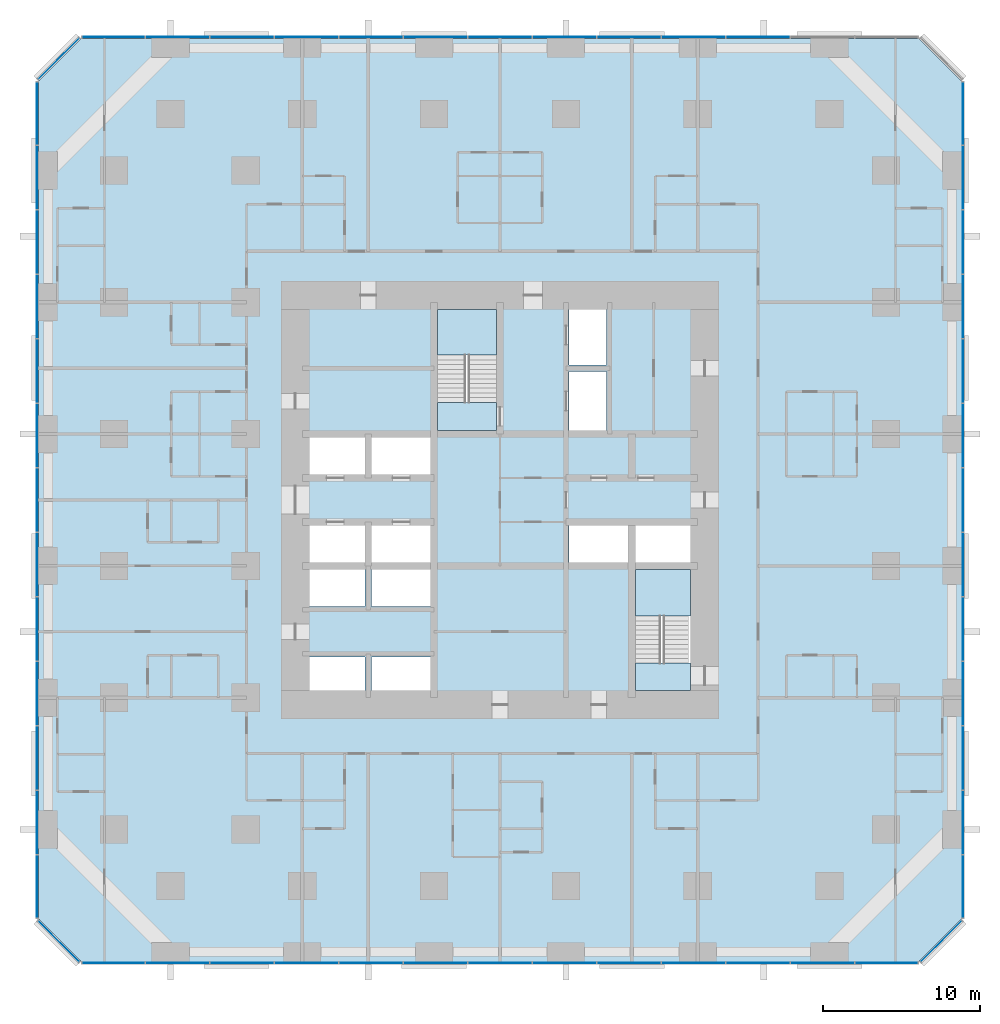
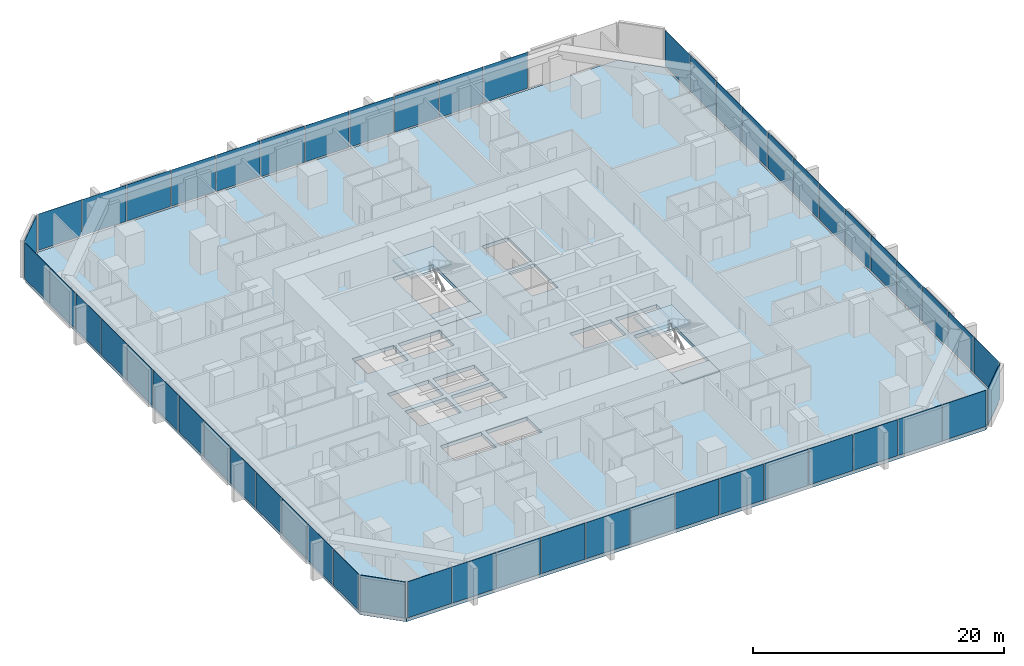
# One storey, part 9 of 17: 53 plates, 5 slabs, 9 elements without a shape of their own.
"""IFC4 building model written with IfcOpenShell, lengths in metres."""

from ifc_helpers import new_model, si_unit, direction, frame, origin, origin_2d, place, context, subcontext, project, spatial, polyline, rectangle, outline, extrude, material, layer, layer_set, type_object, element, aggregate, save


model = new_model("IFC4")

# Units and contexts
model_context = context("Model", 3, precision=1e-05, world=origin(), true_north=direction((0.0, 1.0)))
body_context = subcontext(model_context, "Body", "Model", "MODEL_VIEW")
ifc_project = project(units=[si_unit("LENGTHUNIT", "METRE"), si_unit("AREAUNIT", "SQUARE_METRE"), si_unit("VOLUMEUNIT", "CUBIC_METRE"), si_unit("PLANEANGLEUNIT", "RADIAN"), si_unit("MASSUNIT", "GRAM", prefix="KILO")], contexts=[model_context])

# Site, building, storey
site_placement = place(None, origin())
site = spatial("IfcSite", under=ifc_project, at=site_placement, CompositionType="ELEMENT")
building_placement = place(site_placement, origin())
building = spatial("IfcBuilding", under=site, at=building_placement, Name="Dunama Terrace Hotel", CompositionType="ELEMENT")
storey_placement = place(building_placement, frame((0.0, 0.0, 34.199951171875)))
storey = spatial("IfcBuildingStorey", under=building, at=storey_placement, Name="L07", CompositionType="ELEMENT", Elevation=34.199951171875)

# Curtain wall, plates
ifc_material_1 = material(Name="Aluminium curtain wall system", Category="aluminium")
curtain_wall_type = type_object("IfcCurtainWallType", Name="Unitised fritted glass wall CW-A", PredefinedType="NOTDEFINED", material=ifc_material_1)
curtain_wall_1_placement = place(storey_placement, origin())
curtain_wall_1 = element("IfcCurtainWall", 1, at=curtain_wall_1_placement, inside=storey, type_object=curtain_wall_type, Name="Unitised fritted glass wall CW-A L07", PredefinedType="NOTDEFINED")
ifc_material_2 = material(Name="Laminated glass", Category="glass")
ifc_layer_1 = layer(ifc_material_2, 0.030029296875)
ifc_layer_set_1 = layer_set([ifc_layer_1], Name="CWA clear glass panel")
plate_type_1 = type_object("IfcPlateType", Name="CWA clear glass panel", PredefinedType="CURTAIN_PANEL", material=ifc_layer_set_1)
plate_1_placement = place(storey_placement, frame((4.77001953125, -0.10009765625, 0.0751953125), z_axis=(0.0, 0.0, 1.0), x_axis=(1.0, 0.0, 0.0)))
plate_1 = element("IfcPlate", 2, at=plate_1_placement, type_object=plate_type_1, Name="CWA clear glass panel", PredefinedType="CURTAIN_PANEL", context=body_context, shape_type="SweptSolid", body=[
    extrude(rectangle(XDim=4.01025390625, YDim=0.030029296875, at=origin_2d()), origin(), (0.0, 0.0, 1.0), 3.52490234375),
])
plate_2_placement = place(storey_placement, frame((17.076904296875, -0.10009765625, 0.0751953125), z_axis=(0.0, 0.0, 1.0), x_axis=(1.0, 0.0, 0.0)))
plate_2 = element("IfcPlate", 3, at=plate_2_placement, type_object=plate_type_1, Name="CWA clear glass panel", PredefinedType="CURTAIN_PANEL", context=body_context, shape_type="SweptSolid", body=[
    extrude(rectangle(XDim=4.042724609375, YDim=0.030029296875, at=origin_2d()), origin(), (0.0, 0.0, 1.0), 3.52490234375),
])
plate_3_placement = place(storey_placement, frame((29.39990234375, -0.10009765625, 0.0751953125), z_axis=(0.0, 0.0, 1.0), x_axis=(1.0, 0.0, 0.0)))
plate_3 = element("IfcPlate", 4, at=plate_3_placement, type_object=plate_type_1, Name="CWA clear glass panel", PredefinedType="CURTAIN_PANEL", context=body_context, shape_type="SweptSolid", body=[
    extrude(rectangle(XDim=4.042724609375, YDim=0.030029296875, at=origin_2d()), origin(), (0.0, 0.0, 1.0), 3.52490234375),
])
plate_4_placement = place(storey_placement, frame((41.722900390625, -0.10009765625, 0.0751953125), z_axis=(0.0, 0.0, 1.0), x_axis=(1.0, 0.0, 0.0)))
plate_4 = element("IfcPlate", 5, at=plate_4_placement, type_object=plate_type_1, Name="CWA clear glass panel", PredefinedType="CURTAIN_PANEL", context=body_context, shape_type="SweptSolid", body=[
    extrude(rectangle(XDim=4.042724609375, YDim=0.030029296875, at=origin_2d()), origin(), (0.0, 0.0, 1.0), 3.52490234375),
])
plate_5_placement = place(storey_placement, frame((54.030029296875, -0.10009765625, 0.0751953125), z_axis=(0.0, 0.0, 1.0), x_axis=(1.0, 0.0, 0.0)))
plate_5 = element("IfcPlate", 6, at=plate_5_placement, type_object=plate_type_1, Name="CWA clear glass panel", PredefinedType="CURTAIN_PANEL", context=body_context, shape_type="SweptSolid", body=[
    extrude(rectangle(XDim=4.01025390625, YDim=0.030029296875, at=origin_2d()), origin(), (0.0, 0.0, 1.0), 3.52490234375),
])

curtain_wall_2_placement = place(storey_placement, origin())
curtain_wall_2 = element("IfcCurtainWall", 7, at=curtain_wall_2_placement, inside=storey, type_object=curtain_wall_type, Name="Unitised fritted glass wall CW-A L07", PredefinedType="NOTDEFINED")
plate_6_placement = place(storey_placement, frame((58.89990234375, 8.862060546875, 0.0751953125), z_axis=(0.0, 0.0, 1.0), x_axis=(0.0, 1.0, 0.0)))
plate_6 = element("IfcPlate", 8, at=plate_6_placement, type_object=plate_type_1, Name="CWA clear glass panel", PredefinedType="CURTAIN_PANEL", context=body_context, shape_type="SweptSolid", body=[
    extrude(rectangle(XDim=4.042724609375, YDim=0.030029296875, at=origin_2d()), origin(), (0.0, 0.0, 1.0), 3.52490234375),
])
plate_7_placement = place(storey_placement, frame((58.89990234375, 21.18505859375, 0.0751953125), z_axis=(0.0, 0.0, 1.0), x_axis=(0.0, 1.0, 0.0)))
plate_7 = element("IfcPlate", 9, at=plate_7_placement, type_object=plate_type_1, Name="CWA clear glass panel", PredefinedType="CURTAIN_PANEL", context=body_context, shape_type="SweptSolid", body=[
    extrude(rectangle(XDim=4.042724609375, YDim=0.030029296875, at=origin_2d()), origin(), (0.0, 0.0, 1.0), 3.52490234375),
])
plate_8_placement = place(storey_placement, frame((58.89990234375, 33.508056640625, 0.0751953125), z_axis=(0.0, 0.0, 1.0), x_axis=(0.0, 1.0, 0.0)))
plate_8 = element("IfcPlate", 10, at=plate_8_placement, type_object=plate_type_1, Name="CWA clear glass panel", PredefinedType="CURTAIN_PANEL", context=body_context, shape_type="SweptSolid", body=[
    extrude(rectangle(XDim=4.042724609375, YDim=0.030029296875, at=origin_2d()), origin(), (0.0, 0.0, 1.0), 3.52490234375),
])
plate_9_placement = place(storey_placement, frame((58.89990234375, 45.8310546875, 0.0751953125), z_axis=(0.0, 0.0, 1.0), x_axis=(0.0, 1.0, 0.0)))
plate_9 = element("IfcPlate", 11, at=plate_9_placement, type_object=plate_type_1, Name="CWA clear glass panel", PredefinedType="CURTAIN_PANEL", context=body_context, shape_type="SweptSolid", body=[
    extrude(rectangle(XDim=4.042724609375, YDim=0.030029296875, at=origin_2d()), origin(), (0.0, 0.0, 1.0), 3.52490234375),
])

curtain_wall_3_placement = place(storey_placement, origin())
curtain_wall_3 = element("IfcCurtainWall", 12, at=curtain_wall_3_placement, inside=storey, type_object=curtain_wall_type, Name="Unitised fritted glass wall CW-A L07", PredefinedType="NOTDEFINED")
plate_10_placement = place(storey_placement, frame((45.8310546875, 58.89990234375, 0.0751953125), z_axis=(0.0, 0.0, 1.0), x_axis=(-1.0, 0.0, 0.0)))
plate_10 = element("IfcPlate", 13, at=plate_10_placement, type_object=plate_type_1, Name="CWA clear glass panel", PredefinedType="CURTAIN_PANEL", context=body_context, shape_type="SweptSolid", body=[
    extrude(rectangle(XDim=4.042724609375, YDim=0.030029296875, at=origin_2d()), origin(), (0.0, 0.0, 1.0), 3.52490234375),
])
plate_11_placement = place(storey_placement, frame((33.508056640625, 58.89990234375, 0.0751953125), z_axis=(0.0, 0.0, 1.0), x_axis=(-1.0, 0.0, 0.0)))
plate_11 = element("IfcPlate", 14, at=plate_11_placement, type_object=plate_type_1, Name="CWA clear glass panel", PredefinedType="CURTAIN_PANEL", context=body_context, shape_type="SweptSolid", body=[
    extrude(rectangle(XDim=4.042724609375, YDim=0.030029296875, at=origin_2d()), origin(), (0.0, 0.0, 1.0), 3.52490234375),
])
plate_12_placement = place(storey_placement, frame((21.18505859375, 58.89990234375, 0.0751953125), z_axis=(0.0, 0.0, 1.0), x_axis=(-1.0, 0.0, 0.0)))
plate_12 = element("IfcPlate", 15, at=plate_12_placement, type_object=plate_type_1, Name="CWA clear glass panel", PredefinedType="CURTAIN_PANEL", context=body_context, shape_type="SweptSolid", body=[
    extrude(rectangle(XDim=4.042724609375, YDim=0.030029296875, at=origin_2d()), origin(), (0.0, 0.0, 1.0), 3.52490234375),
])
plate_13_placement = place(storey_placement, frame((8.862060546875, 58.89990234375, 0.0751953125), z_axis=(0.0, 0.0, 1.0), x_axis=(-1.0, 0.0, 0.0)))
plate_13 = element("IfcPlate", 16, at=plate_13_placement, type_object=plate_type_1, Name="CWA clear glass panel", PredefinedType="CURTAIN_PANEL", context=body_context, shape_type="SweptSolid", body=[
    extrude(rectangle(XDim=4.042724609375, YDim=0.030029296875, at=origin_2d()), origin(), (0.0, 0.0, 1.0), 3.52490234375),
])

curtain_wall_4_placement = place(storey_placement, origin())
curtain_wall_4 = element("IfcCurtainWall", 17, at=curtain_wall_4_placement, inside=storey, type_object=curtain_wall_type, Name="Unitised fritted glass wall CW-A L07", PredefinedType="NOTDEFINED")
plate_14_placement = place(storey_placement, frame((-0.10009765625, 54.030029296875, 0.0751953125), z_axis=(0.0, 0.0, 1.0), x_axis=(0.0, -1.0, 0.0)))
plate_14 = element("IfcPlate", 18, at=plate_14_placement, type_object=plate_type_1, Name="CWA clear glass panel", PredefinedType="CURTAIN_PANEL", context=body_context, shape_type="SweptSolid", body=[
    extrude(rectangle(XDim=4.01025390625, YDim=0.030029296875, at=origin_2d()), origin(), (0.0, 0.0, 1.0), 3.52490234375),
])
plate_15_placement = place(storey_placement, frame((-0.10009765625, 41.722900390625, 0.0751953125), z_axis=(0.0, 0.0, 1.0), x_axis=(0.0, -1.0, 0.0)))
plate_15 = element("IfcPlate", 19, at=plate_15_placement, type_object=plate_type_1, Name="CWA clear glass panel", PredefinedType="CURTAIN_PANEL", context=body_context, shape_type="SweptSolid", body=[
    extrude(rectangle(XDim=4.042724609375, YDim=0.030029296875, at=origin_2d()), origin(), (0.0, 0.0, 1.0), 3.52490234375),
])
plate_16_placement = place(storey_placement, frame((-0.10009765625, 29.39990234375, 0.0751953125), z_axis=(0.0, 0.0, 1.0), x_axis=(0.0, -1.0, 0.0)))
plate_16 = element("IfcPlate", 20, at=plate_16_placement, type_object=plate_type_1, Name="CWA clear glass panel", PredefinedType="CURTAIN_PANEL", context=body_context, shape_type="SweptSolid", body=[
    extrude(rectangle(XDim=4.042724609375, YDim=0.030029296875, at=origin_2d()), origin(), (0.0, 0.0, 1.0), 3.52490234375),
])
plate_17_placement = place(storey_placement, frame((-0.10009765625, 17.076904296875, 0.0751953125), z_axis=(0.0, 0.0, 1.0), x_axis=(0.0, -1.0, 0.0)))
plate_17 = element("IfcPlate", 21, at=plate_17_placement, type_object=plate_type_1, Name="CWA clear glass panel", PredefinedType="CURTAIN_PANEL", context=body_context, shape_type="SweptSolid", body=[
    extrude(rectangle(XDim=4.042724609375, YDim=0.030029296875, at=origin_2d()), origin(), (0.0, 0.0, 1.0), 3.52490234375),
])
plate_18_placement = place(storey_placement, frame((-0.10009765625, 4.77001953125, 0.0751953125), z_axis=(0.0, 0.0, 1.0), x_axis=(0.0, -1.0, 0.0)))
plate_18 = element("IfcPlate", 22, at=plate_18_placement, type_object=plate_type_1, Name="CWA clear glass panel", PredefinedType="CURTAIN_PANEL", context=body_context, shape_type="SweptSolid", body=[
    extrude(rectangle(XDim=4.01025390625, YDim=0.030029296875, at=origin_2d()), origin(), (0.0, 0.0, 1.0), 3.52490234375),
])

# Plate
ifc_material_3 = material(Name="Fritted laminated glass", Category="glass")
ifc_layer_2 = layer(ifc_material_3, 0.030029296875)
ifc_layer_set_2 = layer_set([ifc_layer_2], Name="CWA fritted glass panel")
plate_type_2 = type_object("IfcPlateType", Name="CWA fritted glass panel", PredefinedType="CURTAIN_PANEL", material=ifc_layer_set_2)
plate_19_placement = place(storey_placement, frame((12.968994140625, -0.10009765625, 0.0751953125), z_axis=(0.0, 0.0, 1.0), x_axis=(1.0, 0.0, 0.0)))
plate_19 = element("IfcPlate", 23, at=plate_19_placement, type_object=plate_type_2, Name="CWA fritted glass panel", PredefinedType="CURTAIN_PANEL", context=body_context, shape_type="SweptSolid", body=[
    extrude(rectangle(XDim=4.042724609375, YDim=0.030029296875, at=origin_2d()), origin(), (0.0, 0.0, 1.0), 3.52490234375),
])

plate_20_placement = place(storey_placement, frame((25.2919921875, -0.10009765625, 0.0751953125), z_axis=(0.0, 0.0, 1.0), x_axis=(1.0, 0.0, 0.0)))
plate_20 = element("IfcPlate", 24, at=plate_20_placement, type_object=plate_type_2, Name="CWA fritted glass panel", PredefinedType="CURTAIN_PANEL", context=body_context, shape_type="SweptSolid", body=[
    extrude(rectangle(XDim=4.042724609375, YDim=0.030029296875, at=origin_2d()), origin(), (0.0, 0.0, 1.0), 3.52490234375),
])

plate_21_placement = place(storey_placement, frame((37.614990234375, -0.10009765625, 0.0751953125), z_axis=(0.0, 0.0, 1.0), x_axis=(1.0, 0.0, 0.0)))
plate_21 = element("IfcPlate", 25, at=plate_21_placement, type_object=plate_type_2, Name="CWA fritted glass panel", PredefinedType="CURTAIN_PANEL", context=body_context, shape_type="SweptSolid", body=[
    extrude(rectangle(XDim=4.042724609375, YDim=0.030029296875, at=origin_2d()), origin(), (0.0, 0.0, 1.0), 3.52490234375),
])

plate_22_placement = place(storey_placement, frame((49.93798828125, -0.10009765625, 0.0751953125), z_axis=(0.0, 0.0, 1.0), x_axis=(1.0, 0.0, 0.0)))
plate_22 = element("IfcPlate", 26, at=plate_22_placement, type_object=plate_type_2, Name="CWA fritted glass panel", PredefinedType="CURTAIN_PANEL", context=body_context, shape_type="SweptSolid", body=[
    extrude(rectangle(XDim=4.042724609375, YDim=0.030029296875, at=origin_2d()), origin(), (0.0, 0.0, 1.0), 3.52490234375),
])

plate_23_placement = place(storey_placement, frame((58.89990234375, 4.77001953125, 0.0751953125), z_axis=(0.0, 0.0, 1.0), x_axis=(0.0, 1.0, 0.0)))
plate_23 = element("IfcPlate", 27, at=plate_23_placement, type_object=plate_type_2, Name="CWA fritted glass panel", PredefinedType="CURTAIN_PANEL", context=body_context, shape_type="SweptSolid", body=[
    extrude(rectangle(XDim=4.01025390625, YDim=0.030029296875, at=origin_2d()), origin(), (0.0, 0.0, 1.0), 3.52490234375),
])

plate_24_placement = place(storey_placement, frame((58.89990234375, 17.076904296875, 0.0751953125), z_axis=(0.0, 0.0, 1.0), x_axis=(0.0, 1.0, 0.0)))
plate_24 = element("IfcPlate", 28, at=plate_24_placement, type_object=plate_type_2, Name="CWA fritted glass panel", PredefinedType="CURTAIN_PANEL", context=body_context, shape_type="SweptSolid", body=[
    extrude(rectangle(XDim=4.042724609375, YDim=0.030029296875, at=origin_2d()), origin(), (0.0, 0.0, 1.0), 3.52490234375),
])

plate_25_placement = place(storey_placement, frame((58.89990234375, 29.39990234375, 0.0751953125), z_axis=(0.0, 0.0, 1.0), x_axis=(0.0, 1.0, 0.0)))
plate_25 = element("IfcPlate", 29, at=plate_25_placement, type_object=plate_type_2, Name="CWA fritted glass panel", PredefinedType="CURTAIN_PANEL", context=body_context, shape_type="SweptSolid", body=[
    extrude(rectangle(XDim=4.042724609375, YDim=0.030029296875, at=origin_2d()), origin(), (0.0, 0.0, 1.0), 3.52490234375),
])

plate_26_placement = place(storey_placement, frame((58.89990234375, 41.722900390625, 0.0751953125), z_axis=(0.0, 0.0, 1.0), x_axis=(0.0, 1.0, 0.0)))
plate_26 = element("IfcPlate", 30, at=plate_26_placement, type_object=plate_type_2, Name="CWA fritted glass panel", PredefinedType="CURTAIN_PANEL", context=body_context, shape_type="SweptSolid", body=[
    extrude(rectangle(XDim=4.042724609375, YDim=0.030029296875, at=origin_2d()), origin(), (0.0, 0.0, 1.0), 3.52490234375),
])

plate_27_placement = place(storey_placement, frame((58.89990234375, 54.030029296875, 0.0751953125), z_axis=(0.0, 0.0, 1.0), x_axis=(0.0, 1.0, 0.0)))
plate_27 = element("IfcPlate", 31, at=plate_27_placement, type_object=plate_type_2, Name="CWA fritted glass panel", PredefinedType="CURTAIN_PANEL", context=body_context, shape_type="SweptSolid", body=[
    extrude(rectangle(XDim=4.01025390625, YDim=0.030029296875, at=origin_2d()), origin(), (0.0, 0.0, 1.0), 3.52490234375),
])

plate_28_placement = place(storey_placement, frame((37.614990234375, 58.89990234375, 0.0751953125), z_axis=(0.0, 0.0, 1.0), x_axis=(-1.0, 0.0, 0.0)))
plate_28 = element("IfcPlate", 32, at=plate_28_placement, type_object=plate_type_2, Name="CWA fritted glass panel", PredefinedType="CURTAIN_PANEL", context=body_context, shape_type="SweptSolid", body=[
    extrude(rectangle(XDim=4.042724609375, YDim=0.030029296875, at=origin_2d()), origin(), (0.0, 0.0, 1.0), 3.52490234375),
])

plate_29_placement = place(storey_placement, frame((25.2919921875, 58.89990234375, 0.0751953125), z_axis=(0.0, 0.0, 1.0), x_axis=(-1.0, 0.0, 0.0)))
plate_29 = element("IfcPlate", 33, at=plate_29_placement, type_object=plate_type_2, Name="CWA fritted glass panel", PredefinedType="CURTAIN_PANEL", context=body_context, shape_type="SweptSolid", body=[
    extrude(rectangle(XDim=4.042724609375, YDim=0.030029296875, at=origin_2d()), origin(), (0.0, 0.0, 1.0), 3.52490234375),
])

plate_30_placement = place(storey_placement, frame((12.968994140625, 58.89990234375, 0.0751953125), z_axis=(0.0, 0.0, 1.0), x_axis=(-1.0, 0.0, 0.0)))
plate_30 = element("IfcPlate", 34, at=plate_30_placement, type_object=plate_type_2, Name="CWA fritted glass panel", PredefinedType="CURTAIN_PANEL", context=body_context, shape_type="SweptSolid", body=[
    extrude(rectangle(XDim=4.042724609375, YDim=0.030029296875, at=origin_2d()), origin(), (0.0, 0.0, 1.0), 3.52490234375),
])

# Curtain wall, plate
curtain_wall_5_placement = place(storey_placement, origin())
curtain_wall_5 = element("IfcCurtainWall", 35, at=curtain_wall_5_placement, inside=storey, type_object=curtain_wall_type, Name="Unitised fritted glass wall CW-A L07", PredefinedType="NOTDEFINED")
plate_31_placement = place(storey_placement, frame((1.279052734375, 57.52099609375, 0.0751953125), z_axis=(0.0, 0.0, 1.0), x_axis=(-0.707106781187, -0.707106781187, 0.0)))
plate_31 = element("IfcPlate", 36, at=plate_31_placement, type_object=plate_type_2, Name="CWA fritted glass panel", PredefinedType="CURTAIN_PANEL", context=body_context, shape_type="SweptSolid", body=[
    extrude(rectangle(XDim=3.6884765625, YDim=0.030029296875, at=origin_2d()), origin(), (0.0, 0.0, 1.0), 3.52490234375),
])
aggregate(curtain_wall_5, [plate_31])

# Plate
plate_32_placement = place(storey_placement, frame((-0.10009765625, 45.8310546875, 0.0751953125), z_axis=(0.0, 0.0, 1.0), x_axis=(0.0, -1.0, 0.0)))
plate_32 = element("IfcPlate", 37, at=plate_32_placement, type_object=plate_type_2, Name="CWA fritted glass panel", PredefinedType="CURTAIN_PANEL", context=body_context, shape_type="SweptSolid", body=[
    extrude(rectangle(XDim=4.042724609375, YDim=0.030029296875, at=origin_2d()), origin(), (0.0, 0.0, 1.0), 3.52490234375),
])

plate_33_placement = place(storey_placement, frame((-0.10009765625, 33.508056640625, 0.0751953125), z_axis=(0.0, 0.0, 1.0), x_axis=(0.0, -1.0, 0.0)))
plate_33 = element("IfcPlate", 38, at=plate_33_placement, type_object=plate_type_2, Name="CWA fritted glass panel", PredefinedType="CURTAIN_PANEL", context=body_context, shape_type="SweptSolid", body=[
    extrude(rectangle(XDim=4.042724609375, YDim=0.030029296875, at=origin_2d()), origin(), (0.0, 0.0, 1.0), 3.52490234375),
])

plate_34_placement = place(storey_placement, frame((-0.10009765625, 21.18505859375, 0.0751953125), z_axis=(0.0, 0.0, 1.0), x_axis=(0.0, -1.0, 0.0)))
plate_34 = element("IfcPlate", 39, at=plate_34_placement, type_object=plate_type_2, Name="CWA fritted glass panel", PredefinedType="CURTAIN_PANEL", context=body_context, shape_type="SweptSolid", body=[
    extrude(rectangle(XDim=4.042724609375, YDim=0.030029296875, at=origin_2d()), origin(), (0.0, 0.0, 1.0), 3.52490234375),
])

plate_35_placement = place(storey_placement, frame((-0.10009765625, 8.862060546875, 0.0751953125), z_axis=(0.0, 0.0, 1.0), x_axis=(0.0, -1.0, 0.0)))
plate_35 = element("IfcPlate", 40, at=plate_35_placement, type_object=plate_type_2, Name="CWA fritted glass panel", PredefinedType="CURTAIN_PANEL", context=body_context, shape_type="SweptSolid", body=[
    extrude(rectangle(XDim=4.042724609375, YDim=0.030029296875, at=origin_2d()), origin(), (0.0, 0.0, 1.0), 3.52490234375),
])

ifc_material_4 = material(Name="Laminated glass", Category="glass")
ifc_layer_3 = layer(ifc_material_4, 0.030029296875)
ifc_layer_set_3 = layer_set([ifc_layer_3], Name="CWA operable glass panel")
plate_type_3 = type_object("IfcPlateType", Name="CWA operable glass panel", PredefinedType="CURTAIN_PANEL", material=ifc_layer_set_3)
plate_36_placement = place(storey_placement, frame((8.862060546875, -0.10009765625, 0.0751953125), z_axis=(0.0, 0.0, 1.0), x_axis=(1.0, 0.0, 0.0)))
plate_36 = element("IfcPlate", 41, at=plate_36_placement, type_object=plate_type_3, Name="CWA operable glass panel", PredefinedType="CURTAIN_PANEL", context=body_context, shape_type="SweptSolid", body=[
    extrude(rectangle(XDim=4.042724609375, YDim=0.030029296875, at=origin_2d()), origin(), (0.0, 0.0, 1.0), 3.52490234375),
])

plate_37_placement = place(storey_placement, frame((21.18505859375, -0.10009765625, 0.0751953125), z_axis=(0.0, 0.0, 1.0), x_axis=(1.0, 0.0, 0.0)))
plate_37 = element("IfcPlate", 42, at=plate_37_placement, type_object=plate_type_3, Name="CWA operable glass panel", PredefinedType="CURTAIN_PANEL", context=body_context, shape_type="SweptSolid", body=[
    extrude(rectangle(XDim=4.042724609375, YDim=0.030029296875, at=origin_2d()), origin(), (0.0, 0.0, 1.0), 3.52490234375),
])

plate_38_placement = place(storey_placement, frame((33.508056640625, -0.10009765625, 0.0751953125), z_axis=(0.0, 0.0, 1.0), x_axis=(1.0, 0.0, 0.0)))
plate_38 = element("IfcPlate", 43, at=plate_38_placement, type_object=plate_type_3, Name="CWA operable glass panel", PredefinedType="CURTAIN_PANEL", context=body_context, shape_type="SweptSolid", body=[
    extrude(rectangle(XDim=4.042724609375, YDim=0.030029296875, at=origin_2d()), origin(), (0.0, 0.0, 1.0), 3.52490234375),
])

plate_39_placement = place(storey_placement, frame((45.8310546875, -0.10009765625, 0.0751953125), z_axis=(0.0, 0.0, 1.0), x_axis=(1.0, 0.0, 0.0)))
plate_39 = element("IfcPlate", 44, at=plate_39_placement, type_object=plate_type_3, Name="CWA operable glass panel", PredefinedType="CURTAIN_PANEL", context=body_context, shape_type="SweptSolid", body=[
    extrude(rectangle(XDim=4.042724609375, YDim=0.030029296875, at=origin_2d()), origin(), (0.0, 0.0, 1.0), 3.52490234375),
])

aggregate(curtain_wall_1, [plate_1, plate_36, plate_19, plate_2, plate_37, plate_20, plate_3, plate_38, plate_21, plate_4, plate_39, plate_22, plate_5])

# Curtain wall, plate
curtain_wall_6_placement = place(storey_placement, origin())
curtain_wall_6 = element("IfcCurtainWall", 45, at=curtain_wall_6_placement, inside=storey, type_object=curtain_wall_type, Name="Unitised fritted glass wall CW-A L07", PredefinedType="NOTDEFINED")
plate_40_placement = place(storey_placement, frame((57.52099609375, 1.279052734375, 0.0751953125), z_axis=(0.0, 0.0, 1.0), x_axis=(0.707106781187, 0.707106781187, 0.0)))
plate_40 = element("IfcPlate", 46, at=plate_40_placement, type_object=plate_type_3, Name="CWA operable glass panel", PredefinedType="CURTAIN_PANEL", context=body_context, shape_type="SweptSolid", body=[
    extrude(rectangle(XDim=3.6884765625, YDim=0.030029296875, at=origin_2d()), origin(), (0.0, 0.0, 1.0), 3.52490234375),
])
aggregate(curtain_wall_6, [plate_40])

# Plate
plate_41_placement = place(storey_placement, frame((58.89990234375, 12.968994140625, 0.0751953125), z_axis=(0.0, 0.0, 1.0), x_axis=(0.0, 1.0, 0.0)))
plate_41 = element("IfcPlate", 47, at=plate_41_placement, type_object=plate_type_3, Name="CWA operable glass panel", PredefinedType="CURTAIN_PANEL", context=body_context, shape_type="SweptSolid", body=[
    extrude(rectangle(XDim=4.042724609375, YDim=0.030029296875, at=origin_2d()), origin(), (0.0, 0.0, 1.0), 3.52490234375),
])

plate_42_placement = place(storey_placement, frame((58.89990234375, 25.2919921875, 0.0751953125), z_axis=(0.0, 0.0, 1.0), x_axis=(0.0, 1.0, 0.0)))
plate_42 = element("IfcPlate", 48, at=plate_42_placement, type_object=plate_type_3, Name="CWA operable glass panel", PredefinedType="CURTAIN_PANEL", context=body_context, shape_type="SweptSolid", body=[
    extrude(rectangle(XDim=4.042724609375, YDim=0.030029296875, at=origin_2d()), origin(), (0.0, 0.0, 1.0), 3.52490234375),
])

plate_43_placement = place(storey_placement, frame((58.89990234375, 37.614990234375, 0.0751953125), z_axis=(0.0, 0.0, 1.0), x_axis=(0.0, 1.0, 0.0)))
plate_43 = element("IfcPlate", 49, at=plate_43_placement, type_object=plate_type_3, Name="CWA operable glass panel", PredefinedType="CURTAIN_PANEL", context=body_context, shape_type="SweptSolid", body=[
    extrude(rectangle(XDim=4.042724609375, YDim=0.030029296875, at=origin_2d()), origin(), (0.0, 0.0, 1.0), 3.52490234375),
])

plate_44_placement = place(storey_placement, frame((58.89990234375, 49.93798828125, 0.0751953125), z_axis=(0.0, 0.0, 1.0), x_axis=(0.0, 1.0, 0.0)))
plate_44 = element("IfcPlate", 50, at=plate_44_placement, type_object=plate_type_3, Name="CWA operable glass panel", PredefinedType="CURTAIN_PANEL", context=body_context, shape_type="SweptSolid", body=[
    extrude(rectangle(XDim=4.042724609375, YDim=0.030029296875, at=origin_2d()), origin(), (0.0, 0.0, 1.0), 3.52490234375),
])

aggregate(curtain_wall_2, [plate_23, plate_6, plate_41, plate_24, plate_7, plate_42, plate_25, plate_8, plate_43, plate_26, plate_9, plate_44, plate_27])

plate_45_placement = place(storey_placement, frame((41.722900390625, 58.89990234375, 0.0751953125), z_axis=(0.0, 0.0, 1.0), x_axis=(-1.0, 0.0, 0.0)))
plate_45 = element("IfcPlate", 51, at=plate_45_placement, type_object=plate_type_3, Name="CWA operable glass panel", PredefinedType="CURTAIN_PANEL", context=body_context, shape_type="SweptSolid", body=[
    extrude(rectangle(XDim=4.042724609375, YDim=0.030029296875, at=origin_2d()), origin(), (0.0, 0.0, 1.0), 3.52490234375),
])

plate_46_placement = place(storey_placement, frame((29.39990234375, 58.89990234375, 0.0751953125), z_axis=(0.0, 0.0, 1.0), x_axis=(-1.0, 0.0, 0.0)))
plate_46 = element("IfcPlate", 52, at=plate_46_placement, type_object=plate_type_3, Name="CWA operable glass panel", PredefinedType="CURTAIN_PANEL", context=body_context, shape_type="SweptSolid", body=[
    extrude(rectangle(XDim=4.042724609375, YDim=0.030029296875, at=origin_2d()), origin(), (0.0, 0.0, 1.0), 3.52490234375),
])

plate_47_placement = place(storey_placement, frame((17.076904296875, 58.89990234375, 0.0751953125), z_axis=(0.0, 0.0, 1.0), x_axis=(-1.0, 0.0, 0.0)))
plate_47 = element("IfcPlate", 53, at=plate_47_placement, type_object=plate_type_3, Name="CWA operable glass panel", PredefinedType="CURTAIN_PANEL", context=body_context, shape_type="SweptSolid", body=[
    extrude(rectangle(XDim=4.042724609375, YDim=0.030029296875, at=origin_2d()), origin(), (0.0, 0.0, 1.0), 3.52490234375),
])

plate_48_placement = place(storey_placement, frame((4.77001953125, 58.89990234375, 0.0751953125), z_axis=(0.0, 0.0, 1.0), x_axis=(-1.0, 0.0, 0.0)))
plate_48 = element("IfcPlate", 54, at=plate_48_placement, type_object=plate_type_3, Name="CWA operable glass panel", PredefinedType="CURTAIN_PANEL", context=body_context, shape_type="SweptSolid", body=[
    extrude(rectangle(XDim=4.01025390625, YDim=0.030029296875, at=origin_2d()), origin(), (0.0, 0.0, 1.0), 3.52490234375),
])

aggregate(curtain_wall_3, [plate_10, plate_45, plate_28, plate_11, plate_46, plate_29, plate_12, plate_47, plate_30, plate_13, plate_48])

plate_49_placement = place(storey_placement, frame((-0.10009765625, 49.93798828125, 0.0751953125), z_axis=(0.0, 0.0, 1.0), x_axis=(0.0, -1.0, 0.0)))
plate_49 = element("IfcPlate", 55, at=plate_49_placement, type_object=plate_type_3, Name="CWA operable glass panel", PredefinedType="CURTAIN_PANEL", context=body_context, shape_type="SweptSolid", body=[
    extrude(rectangle(XDim=4.042724609375, YDim=0.030029296875, at=origin_2d()), origin(), (0.0, 0.0, 1.0), 3.52490234375),
])

plate_50_placement = place(storey_placement, frame((-0.10009765625, 37.614990234375, 0.0751953125), z_axis=(0.0, 0.0, 1.0), x_axis=(0.0, -1.0, 0.0)))
plate_50 = element("IfcPlate", 56, at=plate_50_placement, type_object=plate_type_3, Name="CWA operable glass panel", PredefinedType="CURTAIN_PANEL", context=body_context, shape_type="SweptSolid", body=[
    extrude(rectangle(XDim=4.042724609375, YDim=0.030029296875, at=origin_2d()), origin(), (0.0, 0.0, 1.0), 3.52490234375),
])

plate_51_placement = place(storey_placement, frame((-0.10009765625, 25.2919921875, 0.0751953125), z_axis=(0.0, 0.0, 1.0), x_axis=(0.0, -1.0, 0.0)))
plate_51 = element("IfcPlate", 57, at=plate_51_placement, type_object=plate_type_3, Name="CWA operable glass panel", PredefinedType="CURTAIN_PANEL", context=body_context, shape_type="SweptSolid", body=[
    extrude(rectangle(XDim=4.042724609375, YDim=0.030029296875, at=origin_2d()), origin(), (0.0, 0.0, 1.0), 3.52490234375),
])

plate_52_placement = place(storey_placement, frame((-0.10009765625, 12.968994140625, 0.0751953125), z_axis=(0.0, 0.0, 1.0), x_axis=(0.0, -1.0, 0.0)))
plate_52 = element("IfcPlate", 58, at=plate_52_placement, type_object=plate_type_3, Name="CWA operable glass panel", PredefinedType="CURTAIN_PANEL", context=body_context, shape_type="SweptSolid", body=[
    extrude(rectangle(XDim=4.042724609375, YDim=0.030029296875, at=origin_2d()), origin(), (0.0, 0.0, 1.0), 3.52490234375),
])

aggregate(curtain_wall_4, [plate_14, plate_49, plate_32, plate_15, plate_50, plate_33, plate_16, plate_51, plate_34, plate_17, plate_52, plate_35, plate_18])

# Curtain wall, plate
curtain_wall_7_placement = place(storey_placement, origin())
curtain_wall_7 = element("IfcCurtainWall", 59, at=curtain_wall_7_placement, inside=storey, type_object=curtain_wall_type, Name="Unitised fritted glass wall CW-A L07", PredefinedType="NOTDEFINED")
plate_53_placement = place(storey_placement, frame((1.279052734375, 1.279052734375, 0.0751953125), z_axis=(0.0, 0.0, 1.0), x_axis=(0.707106781187, -0.707106781187, 0.0)))
plate_53 = element("IfcPlate", 60, at=plate_53_placement, type_object=plate_type_3, Name="CWA operable glass panel", PredefinedType="CURTAIN_PANEL", context=body_context, shape_type="SweptSolid", body=[
    extrude(rectangle(XDim=3.6884765625, YDim=0.030029296875, at=origin_2d()), origin(), (0.0, 0.0, 1.0), 3.52490234375),
])
aggregate(curtain_wall_7, [plate_53])

# Slab
ifc_material_5 = material(Name="Concrete C40/50", Category="concrete")
ifc_layer_4 = layer(ifc_material_5, 0.35009765625)
ifc_layer_set_4 = layer_set([ifc_layer_4], Name="Flat plate 350")
slab_type_1 = type_object("IfcSlabType", Name="Flat plate 350", PredefinedType="FLOOR", material=ifc_layer_set_4)
slab_1_placement = place(storey_placement, frame((0.0, 0.0, -0.349853515625)))
element("IfcSlab", 61, at=slab_1_placement, inside=storey, type_object=slab_type_1, Name="Floor slab L07", PredefinedType="FLOOR", context=body_context, shape_type="SweptSolid", body=[
    extrude(outline(polyline([(2.699951171875, 0.0), (56.10009765625, 0.0), (58.800048828125, 2.699951171875), (58.800048828125, 56.10009765625), (56.10009765625, 58.800048828125), (2.699951171875, 58.800048828125), (0.0, 56.10009765625), (0.0, 2.699951171875), (2.699951171875, 0.0)]), holes=[polyline([(20.800048828125, 25.39990234375), (20.800048828125, 27.800048828125), (17.0, 27.800048828125), (17.0, 25.39990234375), (20.800048828125, 25.39990234375)]), polyline([(25.0, 25.39990234375), (25.0, 27.800048828125), (21.199951171875, 27.800048828125), (21.199951171875, 25.39990234375), (25.0, 25.39990234375)]), polyline([(20.800048828125, 31.0), (20.800048828125, 33.39990234375), (17.0, 33.39990234375), (17.0, 31.0), (20.800048828125, 31.0)]), polyline([(25.0, 31.0), (25.0, 33.39990234375), (21.199951171875, 33.39990234375), (21.199951171875, 31.0), (25.0, 31.0)]), polyline([(37.60009765625, 25.39990234375), (37.60009765625, 27.800048828125), (33.800048828125, 27.800048828125), (33.800048828125, 25.39990234375), (37.60009765625, 25.39990234375)]), polyline([(41.800048828125, 25.39990234375), (41.800048828125, 27.800048828125), (38.0, 27.800048828125), (38.0, 25.39990234375), (41.800048828125, 25.39990234375)]), polyline([(20.800048828125, 17.0), (20.800048828125, 19.39990234375), (17.0, 19.39990234375), (17.0, 17.0), (20.800048828125, 17.0)]), polyline([(25.0, 17.0), (25.0, 19.39990234375), (21.199951171875, 19.39990234375), (21.199951171875, 17.0), (25.0, 17.0)]), polyline([(20.800048828125, 22.60009765625), (20.800048828125, 25.0), (17.0, 25.0), (17.0, 22.60009765625), (20.800048828125, 22.60009765625)]), polyline([(25.0, 22.60009765625), (25.0, 25.0), (21.199951171875, 25.0), (21.199951171875, 22.60009765625), (25.0, 22.60009765625)]), polyline([(36.199951171875, 38.0), (36.199951171875, 41.800048828125), (33.800048828125, 41.800048828125), (33.800048828125, 38.0), (36.199951171875, 38.0)]), polyline([(36.199951171875, 33.800048828125), (36.199951171875, 37.60009765625), (33.800048828125, 37.60009765625), (33.800048828125, 33.800048828125), (36.199951171875, 33.800048828125)]), polyline([(29.175048828125, 33.824951171875), (29.175048828125, 41.550048828125), (25.425048828125, 41.550048828125), (25.425048828125, 33.824951171875), (29.175048828125, 33.824951171875)]), polyline([(41.550048828125, 17.25), (41.550048828125, 24.97509765625), (38.050048828125, 24.97509765625), (38.050048828125, 17.25), (41.550048828125, 17.25)])]), origin(), (0.0, 0.0, 1.0), 0.349853515625),
])

# Stair, slabs
ifc_material_6 = material(Name="Concrete C40/50", Category="concrete")
stair_type_1 = type_object("IfcStairType", Name="Stair ST1-3600-1800", PredefinedType="HALF_TURN_STAIR", material=ifc_material_6)
stair_1_placement = place(storey_placement, origin())
stair_1 = element("IfcStair", 62, at=stair_1_placement, inside=storey, type_object=stair_type_1, Name="Stair ST1 L07", PredefinedType="HALF_TURN_STAIR")
ifc_material_7 = material(Name="Concrete C40/50", Category="concrete")
ifc_layer_5 = layer(ifc_material_7, 0.199951171875)
ifc_layer_set_5 = layer_set([ifc_layer_5], Name="Stair landing 200")
slab_type_2 = type_object("IfcSlabType", Name="Stair landing 200", PredefinedType="LANDING", material=ifc_layer_set_5)
slab_2_placement = place(storey_placement, frame((0.0, 0.0, -0.199951171875)))
slab_2 = element("IfcSlab", 63, at=slab_2_placement, type_object=slab_type_2, Name="ST1 landing 1, type S10", PredefinedType="LANDING", context=body_context, shape_type="SweptSolid", body=[
    extrude(outline(polyline([(25.425048828125, 33.824951171875), (29.175048828125, 33.824951171875), (29.175048828125, 35.625), (25.425048828125, 35.625), (25.425048828125, 33.824951171875)])), origin(), (0.0, 0.0, 1.0), 0.199951171875),
])
slab_3_placement = place(storey_placement, frame((0.0, 0.0, 1.60009765625)))
slab_3 = element("IfcSlab", 64, at=slab_3_placement, type_object=slab_type_2, Name="ST1 landing 2, type S10", PredefinedType="LANDING", context=body_context, shape_type="SweptSolid", body=[
    extrude(outline(polyline([(25.425048828125, 38.625), (29.175048828125, 38.625), (29.175048828125, 41.550048828125), (25.425048828125, 41.550048828125), (25.425048828125, 38.625)])), origin(), (0.0, 0.0, 1.0), 0.199951171875),
])
aggregate(stair_1, [slab_2, slab_3])

ifc_material_8 = material(Name="Concrete C40/50", Category="concrete")
stair_type_2 = type_object("IfcStairType", Name="Stair ST2-3600-1600", PredefinedType="HALF_TURN_STAIR", material=ifc_material_8)
stair_2_placement = place(storey_placement, origin())
stair_2 = element("IfcStair", 65, at=stair_2_placement, inside=storey, type_object=stair_type_2, Name="Stair ST2 L07", PredefinedType="HALF_TURN_STAIR")
slab_4_placement = place(storey_placement, frame((0.0, 0.0, -0.199951171875)))
slab_4 = element("IfcSlab", 66, at=slab_4_placement, type_object=slab_type_2, Name="ST2 landing 1, type S10", PredefinedType="LANDING", context=body_context, shape_type="SweptSolid", body=[
    extrude(outline(polyline([(38.050048828125, 17.25), (41.550048828125, 17.25), (41.550048828125, 19.0), (38.050048828125, 19.0), (38.050048828125, 17.25)])), origin(), (0.0, 0.0, 1.0), 0.199951171875),
])
slab_5_placement = place(storey_placement, frame((0.0, 0.0, 1.60009765625)))
slab_5 = element("IfcSlab", 67, at=slab_5_placement, type_object=slab_type_2, Name="ST2 landing 2, type S10", PredefinedType="LANDING", context=body_context, shape_type="SweptSolid", body=[
    extrude(outline(polyline([(38.050048828125, 22.0), (41.550048828125, 22.0), (41.550048828125, 24.97509765625), (38.050048828125, 24.97509765625), (38.050048828125, 22.0)])), origin(), (0.0, 0.0, 1.0), 0.199951171875),
])
aggregate(stair_2, [slab_4, slab_5])

save(model, "model.ifc")
